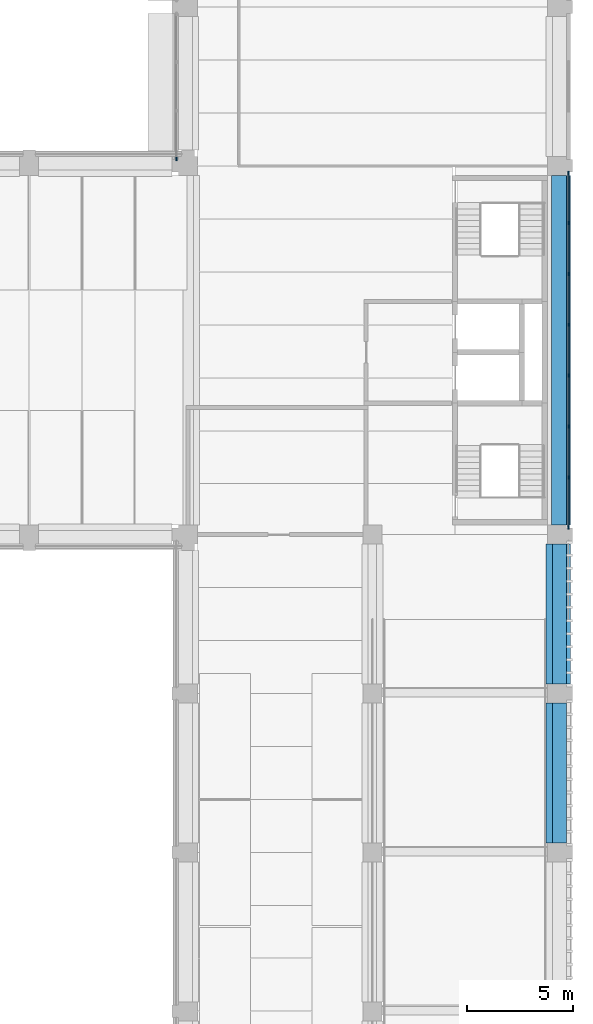
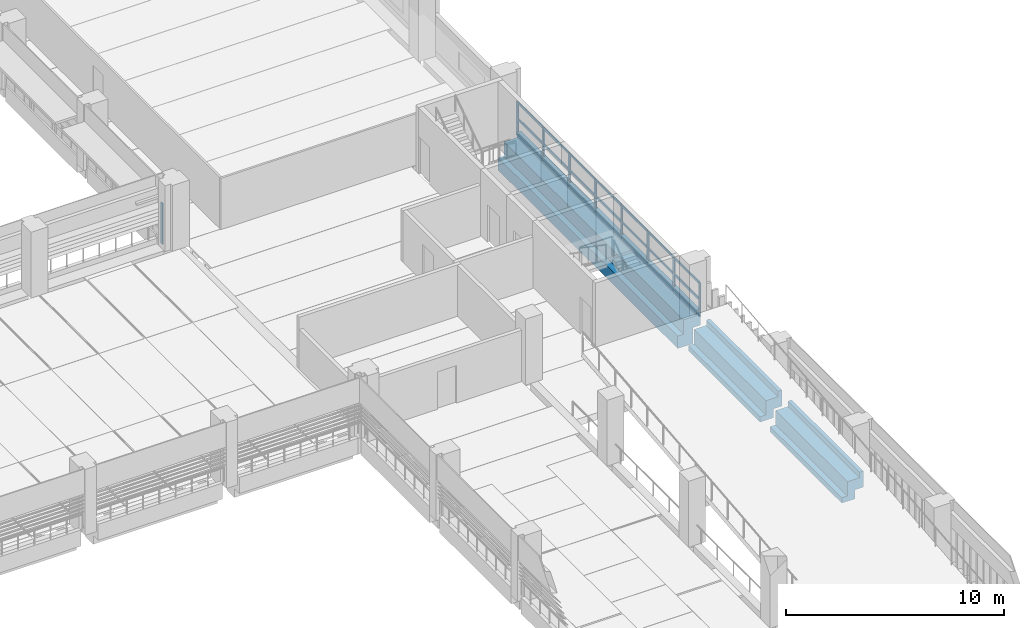
# One storey, part 16 of 57: 30 members, 3 beams, 2 elements without a shape of their own.
"""IFC4 building model written with IfcOpenShell, lengths in metres."""

from ifc_helpers import new_model, si_unit, direction, frame, origin, origin_2d, place, context, subcontext, project, spatial, polyline, rectangle, outline, extrude, material, layer, layer_set, material_profile, profile_set, type_object, element, aggregate, save


model = new_model("IFC4")

# Units and contexts
model_context = context("Model", 3, precision=1e-05, world=origin(), true_north=direction((0.0, 1.0)))
body_context = subcontext(model_context, "Body", "Model", "MODEL_VIEW")
ifc_project = project(units=[si_unit("LENGTHUNIT", "METRE"), si_unit("AREAUNIT", "SQUARE_METRE"), si_unit("VOLUMEUNIT", "CUBIC_METRE"), si_unit("PLANEANGLEUNIT", "RADIAN"), si_unit("MASSUNIT", "GRAM", prefix="KILO")], contexts=[model_context])

# Site, building, storey
site_placement = place(None, origin())
site = spatial("IfcSite", under=ifc_project, at=site_placement, CompositionType="ELEMENT")
building_placement = place(site_placement, origin())
building = spatial("IfcBuilding", under=site, at=building_placement, Name="Cour d'Honneur Mobility Palace", CompositionType="ELEMENT")
storey_placement = place(building_placement, frame((0.0, 0.0, 8.199951171875)))
storey = spatial("IfcBuildingStorey", under=building, at=storey_placement, Name="L02", CompositionType="ELEMENT", Elevation=8.199951171875)

# Curtain wall, member
ifc_material_1 = material(Name="Aluminium and glass", Category="aluminium")
ifc_layer = layer(ifc_material_1, 0.10009765625)
ifc_layer_set = layer_set([ifc_layer], Name="Aluminium and glass")
curtain_wall_type = type_object("IfcCurtainWallType", Name="Curtain wall run", PredefinedType="NOTDEFINED", material=ifc_layer_set)
curtain_wall_1_placement = place(storey_placement, origin())
curtain_wall_1 = element("IfcCurtainWall", 1, at=curtain_wall_1_placement, inside=storey, type_object=curtain_wall_type, Name="Curtain wall CW-57", PredefinedType="NOTDEFINED")
ifc_material_2 = material(Name="Aluminium", Category="aluminium")
ifc_material_profile_1 = material_profile(ifc_material_2, rectangle(XDim=0.06005859375, YDim=0.159912109375, at=origin_2d()), Name="Curtain wall mullion")
ifc_profile_set_1 = profile_set([ifc_material_profile_1], Name="Aluminium")
member_type_1 = type_object("IfcMemberType", Name="Curtain wall mullion", PredefinedType="MULLION", material=ifc_profile_set_1)
member_1_placement = place(storey_placement, frame((144.35009765625, 62.72998046875, 0.0), z_axis=(0.0, 0.0, 1.0), x_axis=(1.0, 0.0, 0.0)))
member_1 = element("IfcMember", 2, at=member_1_placement, type_object=member_type_1, Name="CW-57 mullion 4", PredefinedType="MULLION", context=body_context, shape_type="SweptSolid", body=[
    extrude(rectangle(XDim=0.06005859375, YDim=0.159912109375, at=origin_2d()), origin(), (0.0, 0.0, 1.0), 2.300048828125),
])
aggregate(curtain_wall_1, [member_1])

# Curtain wall, members
curtain_wall_2_placement = place(storey_placement, origin())
curtain_wall_2 = element("IfcCurtainWall", 3, at=curtain_wall_2_placement, inside=storey, type_object=curtain_wall_type, Name="Curtain wall CW-88", PredefinedType="NOTDEFINED")
member_2_placement = place(storey_placement, frame((162.85009765625, 45.330078125, 0.0), z_axis=(0.0, 0.0, 1.0), x_axis=(-1.0, 0.0, 0.0)))
member_2 = element("IfcMember", 4, at=member_2_placement, type_object=member_type_1, Name="CW-88 mullion 1", PredefinedType="MULLION", context=body_context, shape_type="SweptSolid", body=[
    extrude(rectangle(XDim=0.06005859375, YDim=0.159912109375, at=origin_2d()), origin(), (0.0, 0.0, 1.0), 1.900146484375),
])
member_3_placement = place(storey_placement, frame((162.85009765625, 47.699951171875, 0.0), z_axis=(0.0, 0.0, 1.0), x_axis=(-1.0, 0.0, 0.0)))
member_3 = element("IfcMember", 5, at=member_3_placement, type_object=member_type_1, Name="CW-88 mullion 2", PredefinedType="MULLION", context=body_context, shape_type="SweptSolid", body=[
    extrude(rectangle(XDim=0.06005859375, YDim=0.159912109375, at=origin_2d()), origin(), (0.0, 0.0, 1.0), 1.900146484375),
])
member_4_placement = place(storey_placement, frame((162.85009765625, 50.10009765625, 0.0), z_axis=(0.0, 0.0, 1.0), x_axis=(-1.0, 0.0, 0.0)))
member_4 = element("IfcMember", 6, at=member_4_placement, type_object=member_type_1, Name="CW-88 mullion 3", PredefinedType="MULLION", context=body_context, shape_type="SweptSolid", body=[
    extrude(rectangle(XDim=0.06005859375, YDim=0.159912109375, at=origin_2d()), origin(), (0.0, 0.0, 1.0), 1.900146484375),
])
member_5_placement = place(storey_placement, frame((162.85009765625, 52.5, 0.0), z_axis=(0.0, 0.0, 1.0), x_axis=(-1.0, 0.0, 0.0)))
member_5 = element("IfcMember", 7, at=member_5_placement, type_object=member_type_1, Name="CW-88 mullion 4", PredefinedType="MULLION", context=body_context, shape_type="SweptSolid", body=[
    extrude(rectangle(XDim=0.06005859375, YDim=0.159912109375, at=origin_2d()), origin(), (0.0, 0.0, 1.0), 1.900146484375),
])
member_6_placement = place(storey_placement, frame((162.85009765625, 54.89990234375, 0.0), z_axis=(0.0, 0.0, 1.0), x_axis=(-1.0, 0.0, 0.0)))
member_6 = element("IfcMember", 8, at=member_6_placement, type_object=member_type_1, Name="CW-88 mullion 5", PredefinedType="MULLION", context=body_context, shape_type="SweptSolid", body=[
    extrude(rectangle(XDim=0.06005859375, YDim=0.159912109375, at=origin_2d()), origin(), (0.0, 0.0, 1.0), 1.900146484375),
])
member_7_placement = place(storey_placement, frame((162.85009765625, 57.300048828125, 0.0), z_axis=(0.0, 0.0, 1.0), x_axis=(-1.0, 0.0, 0.0)))
member_7 = element("IfcMember", 9, at=member_7_placement, type_object=member_type_1, Name="CW-88 mullion 6", PredefinedType="MULLION", context=body_context, shape_type="SweptSolid", body=[
    extrude(rectangle(XDim=0.06005859375, YDim=0.159912109375, at=origin_2d()), origin(), (0.0, 0.0, 1.0), 1.900146484375),
])
member_8_placement = place(storey_placement, frame((162.85009765625, 59.699951171875, 0.0), z_axis=(0.0, 0.0, 1.0), x_axis=(-1.0, 0.0, 0.0)))
member_8 = element("IfcMember", 10, at=member_8_placement, type_object=member_type_1, Name="CW-88 mullion 7", PredefinedType="MULLION", context=body_context, shape_type="SweptSolid", body=[
    extrude(rectangle(XDim=0.06005859375, YDim=0.159912109375, at=origin_2d()), origin(), (0.0, 0.0, 1.0), 1.900146484375),
])
member_9_placement = place(storey_placement, frame((162.85009765625, 62.070068359375, 0.0), z_axis=(0.0, 0.0, 1.0), x_axis=(-1.0, 0.0, 0.0)))
member_9 = element("IfcMember", 11, at=member_9_placement, type_object=member_type_1, Name="CW-88 mullion 8", PredefinedType="MULLION", context=body_context, shape_type="SweptSolid", body=[
    extrude(rectangle(XDim=0.06005859375, YDim=0.159912109375, at=origin_2d()), origin(), (0.0, 0.0, 1.0), 1.900146484375),
])
ifc_material_3 = material(Name="Aluminium", Category="aluminium")
ifc_material_profile_2 = material_profile(ifc_material_3, rectangle(XDim=0.06005859375, YDim=0.1201171875, at=origin_2d()), Name="Curtain wall transom")
ifc_profile_set_2 = profile_set([ifc_material_profile_2], Name="Aluminium")
member_type_2 = type_object("IfcMemberType", Name="Curtain wall transom", PredefinedType="USERDEFINED", material=ifc_profile_set_2)
member_10_placement = place(storey_placement, frame((162.85009765625, 45.360107421875, 0.030029296875), z_axis=(0.0, 1.0, 0.0), x_axis=(-1.0, 0.0, 0.0)))
member_10 = element("IfcMember", 12, at=member_10_placement, type_object=member_type_2, Name="CW-88 transom 1.1", ObjectType="TRANSOM", PredefinedType="USERDEFINED", context=body_context, shape_type="SweptSolid", body=[
    extrude(rectangle(XDim=0.06005859375, YDim=0.1201171875, at=origin_2d()), origin(), (0.0, 0.0, 1.0), 2.309814453125),
])
member_11_placement = place(storey_placement, frame((162.85009765625, 45.360107421875, 0.949951171875), z_axis=(0.0, 1.0, 0.0), x_axis=(-1.0, 0.0, 0.0)))
member_11 = element("IfcMember", 13, at=member_11_placement, type_object=member_type_2, Name="CW-88 transom 1.2", ObjectType="TRANSOM", PredefinedType="USERDEFINED", context=body_context, shape_type="SweptSolid", body=[
    extrude(rectangle(XDim=0.06005859375, YDim=0.1201171875, at=origin_2d()), origin(), (0.0, 0.0, 1.0), 2.309814453125),
])
member_12_placement = place(storey_placement, frame((162.85009765625, 45.360107421875, 1.8701171875), z_axis=(0.0, 1.0, 0.0), x_axis=(-1.0, 0.0, 0.0)))
member_12 = element("IfcMember", 14, at=member_12_placement, type_object=member_type_2, Name="CW-88 transom 1.3", ObjectType="TRANSOM", PredefinedType="USERDEFINED", context=body_context, shape_type="SweptSolid", body=[
    extrude(rectangle(XDim=0.06005859375, YDim=0.1201171875, at=origin_2d()), origin(), (0.0, 0.0, 1.0), 2.309814453125),
])
member_13_placement = place(storey_placement, frame((162.85009765625, 47.72998046875, 0.030029296875), z_axis=(0.0, 1.0, 0.0), x_axis=(-1.0, 0.0, 0.0)))
member_13 = element("IfcMember", 15, at=member_13_placement, type_object=member_type_2, Name="CW-88 transom 2.1", ObjectType="TRANSOM", PredefinedType="USERDEFINED", context=body_context, shape_type="SweptSolid", body=[
    extrude(rectangle(XDim=0.06005859375, YDim=0.1201171875, at=origin_2d()), origin(), (0.0, 0.0, 1.0), 2.340087890625),
])
member_14_placement = place(storey_placement, frame((162.85009765625, 47.72998046875, 0.949951171875), z_axis=(0.0, 1.0, 0.0), x_axis=(-1.0, 0.0, 0.0)))
member_14 = element("IfcMember", 16, at=member_14_placement, type_object=member_type_2, Name="CW-88 transom 2.2", ObjectType="TRANSOM", PredefinedType="USERDEFINED", context=body_context, shape_type="SweptSolid", body=[
    extrude(rectangle(XDim=0.06005859375, YDim=0.1201171875, at=origin_2d()), origin(), (0.0, 0.0, 1.0), 2.340087890625),
])
member_15_placement = place(storey_placement, frame((162.85009765625, 47.72998046875, 1.8701171875), z_axis=(0.0, 1.0, 0.0), x_axis=(-1.0, 0.0, 0.0)))
member_15 = element("IfcMember", 17, at=member_15_placement, type_object=member_type_2, Name="CW-88 transom 2.3", ObjectType="TRANSOM", PredefinedType="USERDEFINED", context=body_context, shape_type="SweptSolid", body=[
    extrude(rectangle(XDim=0.06005859375, YDim=0.1201171875, at=origin_2d()), origin(), (0.0, 0.0, 1.0), 2.340087890625),
])
member_16_placement = place(storey_placement, frame((162.85009765625, 50.1298828125, 0.030029296875), z_axis=(0.0, 1.0, 0.0), x_axis=(-1.0, 0.0, 0.0)))
member_16 = element("IfcMember", 18, at=member_16_placement, type_object=member_type_2, Name="CW-88 transom 3.1", ObjectType="TRANSOM", PredefinedType="USERDEFINED", context=body_context, shape_type="SweptSolid", body=[
    extrude(rectangle(XDim=0.06005859375, YDim=0.1201171875, at=origin_2d()), origin(), (0.0, 0.0, 1.0), 2.340087890625),
])
member_17_placement = place(storey_placement, frame((162.85009765625, 50.1298828125, 0.949951171875), z_axis=(0.0, 1.0, 0.0), x_axis=(-1.0, 0.0, 0.0)))
member_17 = element("IfcMember", 19, at=member_17_placement, type_object=member_type_2, Name="CW-88 transom 3.2", ObjectType="TRANSOM", PredefinedType="USERDEFINED", context=body_context, shape_type="SweptSolid", body=[
    extrude(rectangle(XDim=0.06005859375, YDim=0.1201171875, at=origin_2d()), origin(), (0.0, 0.0, 1.0), 2.340087890625),
])
member_18_placement = place(storey_placement, frame((162.85009765625, 50.1298828125, 1.8701171875), z_axis=(0.0, 1.0, 0.0), x_axis=(-1.0, 0.0, 0.0)))
member_18 = element("IfcMember", 20, at=member_18_placement, type_object=member_type_2, Name="CW-88 transom 3.3", ObjectType="TRANSOM", PredefinedType="USERDEFINED", context=body_context, shape_type="SweptSolid", body=[
    extrude(rectangle(XDim=0.06005859375, YDim=0.1201171875, at=origin_2d()), origin(), (0.0, 0.0, 1.0), 2.340087890625),
])
member_19_placement = place(storey_placement, frame((162.85009765625, 52.530029296875, 0.030029296875), z_axis=(0.0, 1.0, 0.0), x_axis=(-1.0, 0.0, 0.0)))
member_19 = element("IfcMember", 21, at=member_19_placement, type_object=member_type_2, Name="CW-88 transom 4.1", ObjectType="TRANSOM", PredefinedType="USERDEFINED", context=body_context, shape_type="SweptSolid", body=[
    extrude(rectangle(XDim=0.06005859375, YDim=0.1201171875, at=origin_2d()), origin(), (0.0, 0.0, 1.0), 2.340087890625),
])
member_20_placement = place(storey_placement, frame((162.85009765625, 52.530029296875, 0.949951171875), z_axis=(0.0, 1.0, 0.0), x_axis=(-1.0, 0.0, 0.0)))
member_20 = element("IfcMember", 22, at=member_20_placement, type_object=member_type_2, Name="CW-88 transom 4.2", ObjectType="TRANSOM", PredefinedType="USERDEFINED", context=body_context, shape_type="SweptSolid", body=[
    extrude(rectangle(XDim=0.06005859375, YDim=0.1201171875, at=origin_2d()), origin(), (0.0, 0.0, 1.0), 2.340087890625),
])
member_21_placement = place(storey_placement, frame((162.85009765625, 52.530029296875, 1.8701171875), z_axis=(0.0, 1.0, 0.0), x_axis=(-1.0, 0.0, 0.0)))
member_21 = element("IfcMember", 23, at=member_21_placement, type_object=member_type_2, Name="CW-88 transom 4.3", ObjectType="TRANSOM", PredefinedType="USERDEFINED", context=body_context, shape_type="SweptSolid", body=[
    extrude(rectangle(XDim=0.06005859375, YDim=0.1201171875, at=origin_2d()), origin(), (0.0, 0.0, 1.0), 2.340087890625),
])
member_22_placement = place(storey_placement, frame((162.85009765625, 54.929931640625, 0.030029296875), z_axis=(0.0, 1.0, 0.0), x_axis=(-1.0, 0.0, 0.0)))
member_22 = element("IfcMember", 24, at=member_22_placement, type_object=member_type_2, Name="CW-88 transom 5.1", ObjectType="TRANSOM", PredefinedType="USERDEFINED", context=body_context, shape_type="SweptSolid", body=[
    extrude(rectangle(XDim=0.06005859375, YDim=0.1201171875, at=origin_2d()), origin(), (0.0, 0.0, 1.0), 2.340087890625),
])
member_23_placement = place(storey_placement, frame((162.85009765625, 54.929931640625, 0.949951171875), z_axis=(0.0, 1.0, 0.0), x_axis=(-1.0, 0.0, 0.0)))
member_23 = element("IfcMember", 25, at=member_23_placement, type_object=member_type_2, Name="CW-88 transom 5.2", ObjectType="TRANSOM", PredefinedType="USERDEFINED", context=body_context, shape_type="SweptSolid", body=[
    extrude(rectangle(XDim=0.06005859375, YDim=0.1201171875, at=origin_2d()), origin(), (0.0, 0.0, 1.0), 2.340087890625),
])
member_24_placement = place(storey_placement, frame((162.85009765625, 54.929931640625, 1.8701171875), z_axis=(0.0, 1.0, 0.0), x_axis=(-1.0, 0.0, 0.0)))
member_24 = element("IfcMember", 26, at=member_24_placement, type_object=member_type_2, Name="CW-88 transom 5.3", ObjectType="TRANSOM", PredefinedType="USERDEFINED", context=body_context, shape_type="SweptSolid", body=[
    extrude(rectangle(XDim=0.06005859375, YDim=0.1201171875, at=origin_2d()), origin(), (0.0, 0.0, 1.0), 2.340087890625),
])
member_25_placement = place(storey_placement, frame((162.85009765625, 57.330078125, 0.030029296875), z_axis=(0.0, 1.0, 0.0), x_axis=(-1.0, 0.0, 0.0)))
member_25 = element("IfcMember", 27, at=member_25_placement, type_object=member_type_2, Name="CW-88 transom 6.1", ObjectType="TRANSOM", PredefinedType="USERDEFINED", context=body_context, shape_type="SweptSolid", body=[
    extrude(rectangle(XDim=0.06005859375, YDim=0.1201171875, at=origin_2d()), origin(), (0.0, 0.0, 1.0), 2.33984375),
])
member_26_placement = place(storey_placement, frame((162.85009765625, 57.330078125, 0.949951171875), z_axis=(0.0, 1.0, 0.0), x_axis=(-1.0, 0.0, 0.0)))
member_26 = element("IfcMember", 28, at=member_26_placement, type_object=member_type_2, Name="CW-88 transom 6.2", ObjectType="TRANSOM", PredefinedType="USERDEFINED", context=body_context, shape_type="SweptSolid", body=[
    extrude(rectangle(XDim=0.06005859375, YDim=0.1201171875, at=origin_2d()), origin(), (0.0, 0.0, 1.0), 2.33984375),
])
member_27_placement = place(storey_placement, frame((162.85009765625, 57.330078125, 1.8701171875), z_axis=(0.0, 1.0, 0.0), x_axis=(-1.0, 0.0, 0.0)))
member_27 = element("IfcMember", 29, at=member_27_placement, type_object=member_type_2, Name="CW-88 transom 6.3", ObjectType="TRANSOM", PredefinedType="USERDEFINED", context=body_context, shape_type="SweptSolid", body=[
    extrude(rectangle(XDim=0.06005859375, YDim=0.1201171875, at=origin_2d()), origin(), (0.0, 0.0, 1.0), 2.33984375),
])
member_28_placement = place(storey_placement, frame((162.85009765625, 59.72998046875, 0.030029296875), z_axis=(0.0, 1.0, 0.0), x_axis=(-1.0, 0.0, 0.0)))
member_28 = element("IfcMember", 30, at=member_28_placement, type_object=member_type_2, Name="CW-88 transom 7.1", ObjectType="TRANSOM", PredefinedType="USERDEFINED", context=body_context, shape_type="SweptSolid", body=[
    extrude(rectangle(XDim=0.06005859375, YDim=0.1201171875, at=origin_2d()), origin(), (0.0, 0.0, 1.0), 2.31005859375),
])
member_29_placement = place(storey_placement, frame((162.85009765625, 59.72998046875, 0.949951171875), z_axis=(0.0, 1.0, 0.0), x_axis=(-1.0, 0.0, 0.0)))
member_29 = element("IfcMember", 31, at=member_29_placement, type_object=member_type_2, Name="CW-88 transom 7.2", ObjectType="TRANSOM", PredefinedType="USERDEFINED", context=body_context, shape_type="SweptSolid", body=[
    extrude(rectangle(XDim=0.06005859375, YDim=0.1201171875, at=origin_2d()), origin(), (0.0, 0.0, 1.0), 2.31005859375),
])
member_30_placement = place(storey_placement, frame((162.85009765625, 59.72998046875, 1.8701171875), z_axis=(0.0, 1.0, 0.0), x_axis=(-1.0, 0.0, 0.0)))
member_30 = element("IfcMember", 32, at=member_30_placement, type_object=member_type_2, Name="CW-88 transom 7.3", ObjectType="TRANSOM", PredefinedType="USERDEFINED", context=body_context, shape_type="SweptSolid", body=[
    extrude(rectangle(XDim=0.06005859375, YDim=0.1201171875, at=origin_2d()), origin(), (0.0, 0.0, 1.0), 2.31005859375),
])
aggregate(curtain_wall_2, [member_2, member_3, member_4, member_5, member_6, member_7, member_8, member_9, member_10, member_11, member_12, member_13, member_14, member_15, member_16, member_17, member_18, member_19, member_20, member_21, member_22, member_23, member_24, member_25, member_26, member_27, member_28, member_29, member_30])

# Beams
ifc_material_4 = material(Name="Concrete C45", Category="concrete")
ifc_material_profile_3 = material_profile(ifc_material_4, outline(polyline([(0.5, -1.10009765625), (0.5, -0.800048828125), (0.199951171875, -0.800048828125), (0.199951171875, 0.0), (-0.199951171875, 0.0), (-0.449951171875, 0.0), (-0.449951171875, 0.300048828125), (-0.64990234375, 0.300048828125), (-0.64990234375, -0.60009765625), (-0.199951171875, -0.60009765625), (-0.199951171875, -1.10009765625), (0.5, -1.10009765625)])), Name="Ledger Beam 400x1100 ledge left 300 facade right")
ifc_profile_set_3 = profile_set([ifc_material_profile_3], Name="Concrete C45")
beam_type_1 = type_object("IfcBeamType", Name="Ledger Beam 400x1100 ledge left 300 facade right", PredefinedType="BEAM", material=ifc_profile_set_3)
for number, where, z_axis, x_axis, name in (
    (33, (162.300048828125, 30.449951171875, 0.0), (0.0, 1.0, 0.0), (-1.0, 0.0, 0.0), "Precast beam B3 E-F L02"),
    (34, (162.300048828125, 37.949951171875, 0.0), (0.0, 1.0, 0.0), (-1.0, 0.0, 0.0), "Precast beam B3 F-G L02"),
):
    element("IfcBeam", number, at=place(storey_placement, frame(where, z_axis=z_axis, x_axis=x_axis)), inside=storey, type_object=beam_type_1, Name=name, PredefinedType="BEAM", context=body_context, shape_type="SweptSolid", body=[
        extrude(outline(polyline([(0.5, -1.10009765625), (0.5, -0.800048828125), (0.199951171875, -0.800048828125), (0.199951171875, 0.0), (-0.199951171875, 0.0), (-0.449951171875, 0.0), (-0.449951171875, 0.300048828125), (-0.64990234375, 0.300048828125), (-0.64990234375, -0.60009765625), (-0.199951171875, -0.60009765625), (-0.199951171875, -1.10009765625), (0.5, -1.10009765625)])), origin(), (0.0, 0.0, 1.0), 6.60009765625),
    ])
ifc_material_5 = material(Name="Concrete C45", Category="concrete")
ifc_material_profile_4 = material_profile(ifc_material_5, outline(polyline([(0.550048828125, -1.5), (0.550048828125, -0.800048828125), (0.25, -0.800048828125), (0.25, 0.0), (-0.25, 0.0), (-0.449951171875, 0.0), (-0.449951171875, 0.300048828125), (-0.64990234375, 0.300048828125), (-0.64990234375, -0.60009765625), (-0.25, -0.60009765625), (-0.25, -1.5), (0.550048828125, -1.5)])), Name="Ledger Beam 500x1500 ledge left 700 facade right")
ifc_profile_set_4 = profile_set([ifc_material_profile_4], Name="Concrete C45")
beam_type_2 = type_object("IfcBeamType", Name="Ledger Beam 500x1500 ledge left 700 facade right", PredefinedType="BEAM", material=ifc_profile_set_4)
beam_placement = place(storey_placement, frame((162.300048828125, 45.449951171875, 0.0), z_axis=(0.0, 1.0, 0.0), x_axis=(-1.0, 0.0, 0.0)))
element("IfcBeam", 35, at=beam_placement, inside=storey, type_object=beam_type_2, Name="Precast beam B21 G-H L02", PredefinedType="BEAM", context=body_context, shape_type="SweptSolid", body=[
    extrude(outline(polyline([(0.550048828125, -1.5), (0.550048828125, -0.800048828125), (0.25, -0.800048828125), (0.25, 0.0), (-0.25, 0.0), (-0.449951171875, 0.0), (-0.449951171875, 0.300048828125), (-0.64990234375, 0.300048828125), (-0.64990234375, -0.60009765625), (-0.25, -0.60009765625), (-0.25, -1.5), (0.550048828125, -1.5)])), origin(), (0.0, 0.0, 1.0), 16.5),
])

save(model, "model.ifc")
